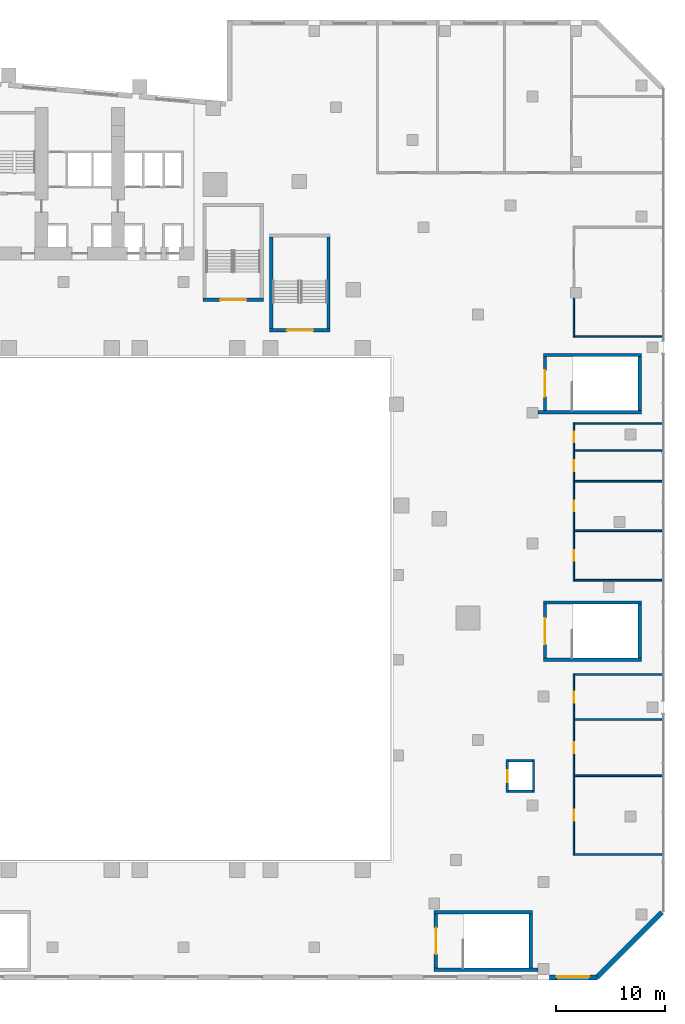
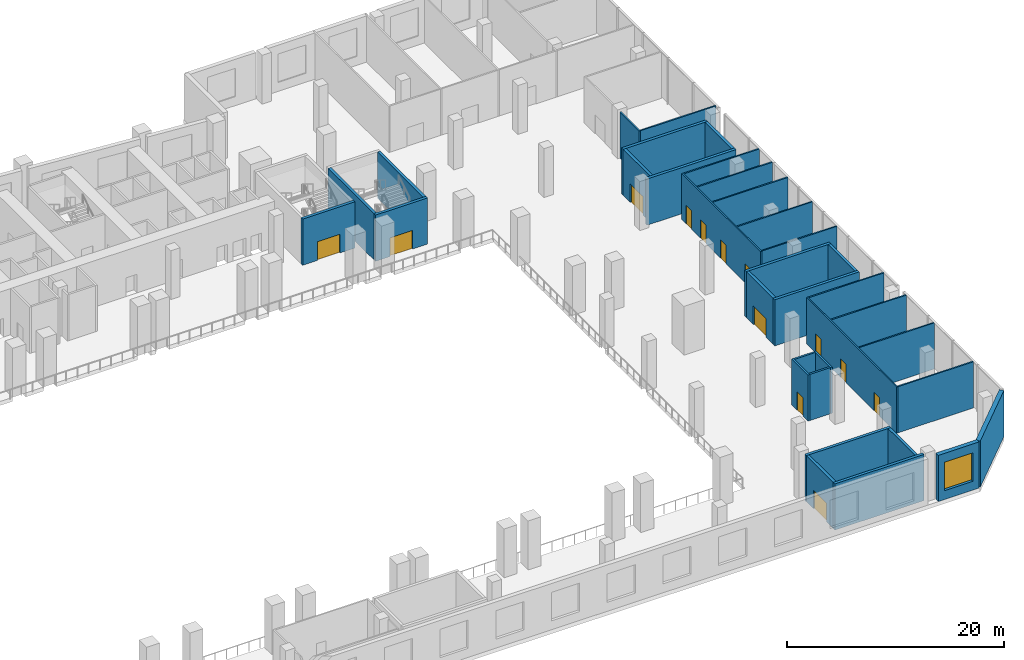
# One storey, part 13 of 25: 35 walls, 13 doors, 1 window, 14 openings.
"""IFC4 building model written with IfcOpenShell, lengths in metres."""

from ifc_helpers import new_model, si_unit, direction, frame, frame_2d, origin, place, context, subcontext, project, spatial, rectangle, extrude, material, layer, layer_set, type_object, element, fill, save


model = new_model("IFC4")

# Units and contexts
model_context = context("Model", 3, precision=1e-05, world=origin(), true_north=direction((0.0, 1.0)))
body_context = subcontext(model_context, "Body", "Model", "MODEL_VIEW")
ifc_project = project(units=[si_unit("LENGTHUNIT", "METRE"), si_unit("AREAUNIT", "SQUARE_METRE"), si_unit("VOLUMEUNIT", "CUBIC_METRE"), si_unit("PLANEANGLEUNIT", "RADIAN"), si_unit("MASSUNIT", "GRAM", prefix="KILO")], contexts=[model_context])

# Site, building, storey
site_placement = place(None, origin())
site = spatial("IfcSite", under=ifc_project, at=site_placement, CompositionType="ELEMENT")
building_placement = place(site_placement, origin())
building = spatial("IfcBuilding", under=site, at=building_placement, Name="Wharfspan Tower", CompositionType="ELEMENT")
storey_placement = place(building_placement, frame((0.0, 0.0, 27.5)))
storey = spatial("IfcBuildingStorey", under=building, at=storey_placement, Name="L04", CompositionType="ELEMENT", Elevation=27.5)

# Walls
ifc_material_1 = material(Name="Calcium silicate masonry", Category="masonry")
ifc_layer_1 = layer(ifc_material_1, 0.149902)
ifc_layer_set_1 = layer_set([ifc_layer_1], Name="Calcium silicate masonry")
wall_type_1 = type_object("IfcWallType", Name="Podium room wall 150", PredefinedType="PARTITIONING", material=ifc_layer_set_1)
for number, where, z_axis, x_axis, name in (
    (1, (99.875, -20.5, 0.0), (0.0, 0.0, 1.0), (1.0, 0.0, 0.0), "iw:L04:2"),
    (2, (99.875, -4.0, 0.0), (0.0, 0.0, 1.0), (1.0, 0.0, 0.0), "iw:L04:9"),
    (3, (99.875, 19.0, 0.0), (0.0, 0.0, 1.0), (1.0, 0.0, 0.0), "iw:L04:15"),
    (4, (99.875, 4.649902, 0.0), (0.0, 0.0, 1.0), (1.0, 0.0, 0.0), "iw:L04:16"),
    (5, (99.875, 9.181885, 0.0), (0.0, 0.0, 1.0), (1.0, 0.0, 0.0), "iw:L04:17"),
):
    element("IfcWall", number, at=place(storey_placement, frame(where, z_axis=z_axis, x_axis=x_axis)), inside=storey, type_object=wall_type_1, Name=name, PredefinedType="PARTITIONING", context=body_context, shape_type="SweptSolid", body=[
        extrude(rectangle(XDim=8.02002, YDim=0.149902, at=frame_2d((4.01001, 0.0))), origin(), (0.0, 0.0, 1.0), 5.199951),
    ])

# Wall, openings, doors
wall_1_placement = place(storey_placement, frame((99.800049, -20.574951, 0.0), z_axis=(0.0, 0.0, 1.0), x_axis=(0.0, 1.0, 0.0)))
wall_1 = element("IfcWall", 6, at=wall_1_placement, inside=storey, type_object=wall_type_1, Name="iw:L04:18", PredefinedType="PARTITIONING", context=body_context, shape_type="SweptSolid", body=[
    extrude(rectangle(XDim=16.649902, YDim=0.149902, at=frame_2d((8.324951, 0.0))), origin(), (0.0, 0.0, 1.0), 5.199951),
])
opening_1_placement = place(wall_1_placement, frame((3.184326, 0.0, 0.0)))
opening_1 = element("IfcOpeningElement", 7, at=opening_1_placement, cuts=wall_1, Name="Opening PD04.14", PredefinedType="OPENING", context=body_context, shape_type="SweptSolid", body=[
    extrude(rectangle(XDim=1.0, YDim=2.100098, at=frame_2d((0.5, 1.050049))), frame((0.0, 0.084961, 0.0), z_axis=(0.0, -1.0, 0.0), x_axis=(1.0, 0.0, 0.0)), (0.0, 0.0, 1.0), 0.169922),
])
opening_2_placement = place(wall_1_placement, frame((9.371826, 0.0, 0.0)))
opening_2 = element("IfcOpeningElement", 8, at=opening_2_placement, cuts=wall_1, Name="Opening PD04.15", PredefinedType="OPENING", context=body_context, shape_type="SweptSolid", body=[
    extrude(rectangle(XDim=1.0, YDim=2.100098, at=frame_2d((0.5, 1.050049))), frame((0.0, 0.084961, 0.0), z_axis=(0.0, -1.0, 0.0), x_axis=(1.0, 0.0, 0.0)), (0.0, 0.0, 1.0), 0.169922),
])
opening_3_placement = place(wall_1_placement, frame((14.012451, 0.0, 0.0)))
opening_3 = element("IfcOpeningElement", 9, at=opening_3_placement, cuts=wall_1, Name="Opening PD04.16", PredefinedType="OPENING", context=body_context, shape_type="SweptSolid", body=[
    extrude(rectangle(XDim=1.0, YDim=2.100098, at=frame_2d((0.5, 1.050049))), frame((0.0, 0.084961, 0.0), z_axis=(0.0, -1.0, 0.0), x_axis=(1.0, 0.0, 0.0)), (0.0, 0.0, 1.0), 0.169922),
])
ifc_material_2 = material(Name="Steel door leaf", Category="steel")
door_type_1 = type_object("IfcDoorType", Name="Podium room door 1000x2100", OperationType="SINGLE_SWING_LEFT", PredefinedType="DOOR", material=ifc_material_2)
door_1_placement = place(opening_1_placement, origin())
door_1 = element("IfcDoor", 10, at=door_1_placement, inside=storey, type_object=door_type_1, Name="id:L04:14", OperationType="SINGLE_SWING_LEFT", OverallHeight=2.100098, OverallWidth=1.0, PredefinedType="DOOR", context=body_context, shape_type="SweptSolid", body=[
    extrude(rectangle(XDim=1.0, YDim=2.100098, at=frame_2d((0.5, 1.050049))), frame((0.0, 0.024902, 0.0), z_axis=(0.0, -1.0, 0.0), x_axis=(1.0, 0.0, 0.0)), (0.0, 0.0, 1.0), 0.050049),
])
fill(opening_1, door_1)
door_2_placement = place(opening_2_placement, origin())
door_2 = element("IfcDoor", 11, at=door_2_placement, inside=storey, type_object=door_type_1, Name="id:L04:15", OperationType="SINGLE_SWING_RIGHT", OverallHeight=2.100098, OverallWidth=1.0, PredefinedType="DOOR", context=body_context, shape_type="SweptSolid", body=[
    extrude(rectangle(XDim=1.0, YDim=2.100098, at=frame_2d((0.5, 1.050049))), frame((0.0, 0.024902, 0.0), z_axis=(0.0, -1.0, 0.0), x_axis=(1.0, 0.0, 0.0)), (0.0, 0.0, 1.0), 0.050049),
])
fill(opening_2, door_2)
door_3_placement = place(opening_3_placement, origin())
door_3 = element("IfcDoor", 12, at=door_3_placement, inside=storey, type_object=door_type_1, Name="id:L04:16", OperationType="SINGLE_SWING_LEFT", OverallHeight=2.100098, OverallWidth=1.0, PredefinedType="DOOR", context=body_context, shape_type="SweptSolid", body=[
    extrude(rectangle(XDim=1.0, YDim=2.100098, at=frame_2d((0.5, 1.050049))), frame((0.0, 0.024902, 0.0), z_axis=(0.0, -1.0, 0.0), x_axis=(1.0, 0.0, 0.0)), (0.0, 0.0, 1.0), 0.050049),
])
fill(opening_3, door_3)

wall_2_placement = place(storey_placement, frame((99.800049, 4.574951, 0.0), z_axis=(0.0, 0.0, 1.0), x_axis=(0.0, 1.0, 0.0)))
wall_2 = element("IfcWall", 13, at=wall_2_placement, inside=storey, type_object=wall_type_1, Name="iw:L04:19", PredefinedType="PARTITIONING", context=body_context, shape_type="SweptSolid", body=[
    extrude(rectangle(XDim=14.5, YDim=0.149902, at=frame_2d((7.25, 0.0))), origin(), (0.0, 0.0, 1.0), 5.199951),
])
opening_4_placement = place(wall_2_placement, frame((1.84082, 0.0, 0.0)))
opening_4 = element("IfcOpeningElement", 14, at=opening_4_placement, cuts=wall_2, Name="Opening PD04.8", PredefinedType="OPENING", context=body_context, shape_type="SweptSolid", body=[
    extrude(rectangle(XDim=1.0, YDim=2.100098, at=frame_2d((0.5, 1.050049))), frame((0.0, 0.084961, 0.0), z_axis=(0.0, -1.0, 0.0), x_axis=(1.0, 0.0, 0.0)), (0.0, 0.0, 1.0), 0.169922),
])
opening_5_placement = place(wall_2_placement, frame((6.372314, 0.0, 0.0)))
opening_5 = element("IfcOpeningElement", 15, at=opening_5_placement, cuts=wall_2, Name="Opening PD04.9", PredefinedType="OPENING", context=body_context, shape_type="SweptSolid", body=[
    extrude(rectangle(XDim=1.0, YDim=2.100098, at=frame_2d((0.5, 1.050049))), frame((0.0, 0.084961, 0.0), z_axis=(0.0, -1.0, 0.0), x_axis=(1.0, 0.0, 0.0)), (0.0, 0.0, 1.0), 0.169922),
])
opening_6_placement = place(wall_2_placement, frame((10.054199, 0.0, 0.0)))
opening_6 = element("IfcOpeningElement", 16, at=opening_6_placement, cuts=wall_2, Name="Opening PD04.10", PredefinedType="OPENING", context=body_context, shape_type="SweptSolid", body=[
    extrude(rectangle(XDim=1.0, YDim=2.100098, at=frame_2d((0.5, 1.050049))), frame((0.0, 0.084961, 0.0), z_axis=(0.0, -1.0, 0.0), x_axis=(1.0, 0.0, 0.0)), (0.0, 0.0, 1.0), 0.169922),
])
opening_7_placement = place(wall_2_placement, frame((12.697754, 0.0, 0.0)))
opening_7 = element("IfcOpeningElement", 17, at=opening_7_placement, cuts=wall_2, Name="Opening PD04.11", PredefinedType="OPENING", context=body_context, shape_type="SweptSolid", body=[
    extrude(rectangle(XDim=1.0, YDim=2.100098, at=frame_2d((0.5, 1.050049))), frame((0.0, 0.084961, 0.0), z_axis=(0.0, -1.0, 0.0), x_axis=(1.0, 0.0, 0.0)), (0.0, 0.0, 1.0), 0.169922),
])
door_4_placement = place(opening_4_placement, origin())
door_4 = element("IfcDoor", 18, at=door_4_placement, inside=storey, type_object=door_type_1, Name="id:L04:8", OperationType="SINGLE_SWING_LEFT", OverallHeight=2.100098, OverallWidth=1.0, PredefinedType="DOOR", context=body_context, shape_type="SweptSolid", body=[
    extrude(rectangle(XDim=1.0, YDim=2.100098, at=frame_2d((0.5, 1.050049))), frame((0.0, 0.024902, 0.0), z_axis=(0.0, -1.0, 0.0), x_axis=(1.0, 0.0, 0.0)), (0.0, 0.0, 1.0), 0.050049),
])
fill(opening_4, door_4)
door_5_placement = place(opening_5_placement, origin())
door_5 = element("IfcDoor", 19, at=door_5_placement, inside=storey, type_object=door_type_1, Name="id:L04:9", OperationType="SINGLE_SWING_RIGHT", OverallHeight=2.100098, OverallWidth=1.0, PredefinedType="DOOR", context=body_context, shape_type="SweptSolid", body=[
    extrude(rectangle(XDim=1.0, YDim=2.100098, at=frame_2d((0.5, 1.050049))), frame((0.0, 0.024902, 0.0), z_axis=(0.0, -1.0, 0.0), x_axis=(1.0, 0.0, 0.0)), (0.0, 0.0, 1.0), 0.050049),
])
fill(opening_5, door_5)
door_6_placement = place(opening_6_placement, origin())
door_6 = element("IfcDoor", 20, at=door_6_placement, inside=storey, type_object=door_type_1, Name="id:L04:10", OperationType="SINGLE_SWING_LEFT", OverallHeight=2.100098, OverallWidth=1.0, PredefinedType="DOOR", context=body_context, shape_type="SweptSolid", body=[
    extrude(rectangle(XDim=1.0, YDim=2.100098, at=frame_2d((0.5, 1.050049))), frame((0.0, 0.024902, 0.0), z_axis=(0.0, -1.0, 0.0), x_axis=(1.0, 0.0, 0.0)), (0.0, 0.0, 1.0), 0.050049),
])
fill(opening_6, door_6)
door_7_placement = place(opening_7_placement, origin())
door_7 = element("IfcDoor", 21, at=door_7_placement, inside=storey, type_object=door_type_1, Name="id:L04:11", OperationType="SINGLE_SWING_RIGHT", OverallHeight=2.100098, OverallWidth=1.0, PredefinedType="DOOR", context=body_context, shape_type="SweptSolid", body=[
    extrude(rectangle(XDim=1.0, YDim=2.100098, at=frame_2d((0.5, 1.050049))), frame((0.0, 0.024902, 0.0), z_axis=(0.0, -1.0, 0.0), x_axis=(1.0, 0.0, 0.0)), (0.0, 0.0, 1.0), 0.050049),
])
fill(opening_7, door_7)

# Walls
wall_3_placement = place(storey_placement, frame((99.800049, 26.925049, 0.0), z_axis=(0.0, 0.0, 1.0), x_axis=(0.0, 1.0, 0.0)))
element("IfcWall", 22, at=wall_3_placement, inside=storey, type_object=wall_type_1, Name="iw:L04:20", PredefinedType="PARTITIONING", context=body_context, shape_type="SweptSolid", body=[
    extrude(rectangle(XDim=3.564941, YDim=0.149902, at=frame_2d((1.782471, 0.0))), origin(), (0.0, 0.0, 1.0), 5.199951),
])
for number, where, z_axis, x_axis, name in (
    (23, (99.875, 13.712891, 0.0), (0.0, 0.0, 1.0), (1.0, 0.0, 0.0), "iw:L04:22"),
    (24, (99.875, 16.544922, 0.0), (0.0, 0.0, 1.0), (1.0, 0.0, 0.0), "iw:L04:23"),
    (25, (99.875, -13.281006, 0.0), (0.0, 0.0, 1.0), (1.0, 0.0, 0.0), "iw:L04:28"),
    (26, (99.875, -8.125, 0.0), (0.0, 0.0, 1.0), (1.0, 0.0, 0.0), "iw:L04:29"),
    (27, (99.875, 27.0, 0.0), (0.0, 0.0, 1.0), (1.0, 0.0, 0.0), "iw:L04:30"),
):
    element("IfcWall", number, at=place(storey_placement, frame(where, z_axis=z_axis, x_axis=x_axis)), inside=storey, type_object=wall_type_1, Name=name, PredefinedType="PARTITIONING", context=body_context, shape_type="SweptSolid", body=[
        extrude(rectangle(XDim=8.02002, YDim=0.149902, at=frame_2d((4.01001, 0.0))), origin(), (0.0, 0.0, 1.0), 5.199951),
    ])

# Wall, opening, door
ifc_material_3 = material(Name="Concrete C30/37", Category="concrete")
ifc_layer_2 = layer(ifc_material_3, 0.199951)
ifc_layer_set_2 = layer_set([ifc_layer_2], Name="Concrete C30/37")
wall_type_2 = type_object("IfcWallType", Name="Podium shaft wall 200", PredefinedType="PARTITIONING", material=ifc_layer_set_2)
wall_4_placement = place(storey_placement, frame((93.699951, -14.800049, 0.0), z_axis=(0.0, 0.0, 1.0), x_axis=(0.0, 1.0, 0.0)))
wall_4 = element("IfcWall", 28, at=wall_4_placement, inside=storey, type_object=wall_type_2, Name="pl:LP4:L04:W", PredefinedType="PARTITIONING", context=body_context, shape_type="SweptSolid", body=[
    extrude(rectangle(XDim=3.0, YDim=0.199951, at=frame_2d((1.5, 0.0))), origin(), (0.0, 0.0, 1.0), 5.199951),
])
opening_8_placement = place(wall_4_placement, frame((0.949951, 0.0, 0.0)))
opening_8 = element("IfcOpeningElement", 29, at=opening_8_placement, cuts=wall_4, Name="Opening LDP4.L04", PredefinedType="OPENING", context=body_context, shape_type="SweptSolid", body=[
    extrude(rectangle(XDim=1.100098, YDim=2.100098, at=frame_2d((0.550049, 1.050049))), frame((0.0, 0.109863, 0.0), z_axis=(0.0, -1.0, 0.0), x_axis=(1.0, 0.0, 0.0)), (0.0, 0.0, 1.0), 0.219971),
])
ifc_material_4 = material(Name="Stainless steel", Category="steel")
door_type_2 = type_object("IfcDoorType", Name="Podium lift landing door 1100x2100", OperationType="DOUBLE_DOOR_SLIDING", PredefinedType="DOOR", material=ifc_material_4)
door_8_placement = place(opening_8_placement, origin())
door_8 = element("IfcDoor", 30, at=door_8_placement, inside=storey, type_object=door_type_2, Name="Landing door LP4 L04", OperationType="DOUBLE_DOOR_SLIDING", OverallHeight=2.100098, OverallWidth=1.100098, PredefinedType="DOOR", context=body_context, shape_type="SweptSolid", body=[
    extrude(rectangle(XDim=1.100098, YDim=2.100098, at=frame_2d((0.550049, 1.050049))), frame((0.0, 0.024902, 0.0), z_axis=(0.0, -1.0, 0.0), x_axis=(1.0, 0.0, 0.0)), (0.0, 0.0, 1.0), 0.050049),
])
fill(opening_8, door_8)

# Walls
wall_5_placement = place(storey_placement, frame((96.100098, -14.800049, 0.0), z_axis=(0.0, 0.0, 1.0), x_axis=(0.0, 1.0, 0.0)))
element("IfcWall", 31, at=wall_5_placement, inside=storey, type_object=wall_type_2, Name="pl:LP4:L04:E", PredefinedType="PARTITIONING", context=body_context, shape_type="SweptSolid", body=[
    extrude(rectangle(XDim=3.0, YDim=0.199951, at=frame_2d((1.5, 0.0))), origin(), (0.0, 0.0, 1.0), 5.199951),
])
for number, where, z_axis, x_axis, name in (
    (32, (93.800049, -14.699951, 0.0), (0.0, 0.0, 1.0), (1.0, 0.0, 0.0), "pl:LP4:L04:S"),
    (33, (93.800049, -11.899902, 0.0), (0.0, 0.0, 1.0), (1.0, 0.0, 0.0), "pl:LP4:L04:N"),
):
    element("IfcWall", number, at=place(storey_placement, frame(where, z_axis=z_axis, x_axis=x_axis)), inside=storey, type_object=wall_type_2, Name=name, PredefinedType="PARTITIONING", context=body_context, shape_type="SweptSolid", body=[
        extrude(rectangle(XDim=2.199951, YDim=0.199951, at=frame_2d((1.100098, 0.0))), origin(), (0.0, 0.0, 1.0), 5.199951),
    ])
ifc_material_5 = material(Name="Concrete C40/50", Category="concrete")
ifc_layer_3 = layer(ifc_material_5, 0.300049)
ifc_layer_set_3 = layer_set([ifc_layer_3], Name="Concrete C40/50")
wall_type_3 = type_object("IfcWallType", Name="Podium stair core wall 300", PredefinedType="SHEAR", material=ifc_layer_set_3)
wall_6_placement = place(storey_placement, frame((87.0, -31.050049, 0.0), z_axis=(0.0, 0.0, 1.0), x_axis=(1.0, 0.0, 0.0)))
element("IfcWall", 34, at=wall_6_placement, inside=storey, type_object=wall_type_3, Name="iw:L04:AS2S", PredefinedType="SHEAR", context=body_context, shape_type="SweptSolid", body=[
    extrude(rectangle(XDim=9.5, YDim=0.300049, at=frame_2d((4.75, 0.0))), origin(), (0.0, 0.0, 1.0), 5.199951),
])
wall_7_placement = place(storey_placement, frame((87.0, -25.800049, 0.0), z_axis=(0.0, 0.0, 1.0), x_axis=(1.0, 0.0, 0.0)))
element("IfcWall", 35, at=wall_7_placement, inside=storey, type_object=wall_type_3, Name="iw:L04:AS2N", PredefinedType="SHEAR", context=body_context, shape_type="SweptSolid", body=[
    extrude(rectangle(XDim=9.0, YDim=0.300049, at=frame_2d((4.5, 0.0))), origin(), (0.0, 0.0, 1.0), 5.199951),
])

# Wall, opening, door
wall_8_placement = place(storey_placement, frame((87.149902, -30.899902, 0.0), z_axis=(0.0, 0.0, 1.0), x_axis=(0.0, 1.0, 0.0)))
wall_8 = element("IfcWall", 36, at=wall_8_placement, inside=storey, type_object=wall_type_3, Name="iw:L04:AS2W", PredefinedType="SHEAR", context=body_context, shape_type="SweptSolid", body=[
    extrude(rectangle(XDim=4.949951, YDim=0.300049, at=frame_2d((2.475098, 0.0))), origin(), (0.0, 0.0, 1.0), 5.199951),
])
opening_9_placement = place(wall_8_placement, frame((1.274902, 0.0, 0.0)))
opening_9 = element("IfcOpeningElement", 37, at=opening_9_placement, cuts=wall_8, Name="Opening SDAS2.L04", PredefinedType="OPENING", context=body_context, shape_type="SweptSolid", body=[
    extrude(rectangle(XDim=2.399902, YDim=2.100098, at=frame_2d((1.199951, 1.050049))), frame((0.0, 0.159912, 0.0), z_axis=(0.0, -1.0, 0.0), x_axis=(1.0, 0.0, 0.0)), (0.0, 0.0, 1.0), 0.320068),
])
door_type_3 = type_object("IfcDoorType", Name="Podium stair door 2400x2100", OperationType="DOUBLE_DOOR_SINGLE_SWING", PredefinedType="DOOR", material=ifc_material_2)
door_9_placement = place(opening_9_placement, origin())
door_9 = element("IfcDoor", 38, at=door_9_placement, inside=storey, type_object=door_type_3, Name="id:L04:AS2", OperationType="DOUBLE_DOOR_SINGLE_SWING", OverallHeight=2.100098, OverallWidth=2.399902, PredefinedType="DOOR", context=body_context, shape_type="SweptSolid", body=[
    extrude(rectangle(XDim=2.399902, YDim=2.100098, at=frame_2d((1.199951, 1.050049))), frame((0.0, 0.024902, 0.0), z_axis=(0.0, -1.0, 0.0), x_axis=(1.0, 0.0, 0.0)), (0.0, 0.0, 1.0), 0.050049),
])
fill(opening_9, door_9)

# Walls
wall_9_placement = place(storey_placement, frame((95.850098, -30.899902, 0.0), z_axis=(0.0, 0.0, 1.0), x_axis=(0.0, 1.0, 0.0)))
element("IfcWall", 39, at=wall_9_placement, inside=storey, type_object=wall_type_3, Name="iw:L04:AS2E", PredefinedType="SHEAR", context=body_context, shape_type="SweptSolid", body=[
    extrude(rectangle(XDim=4.949951, YDim=0.300049, at=frame_2d((2.475098, 0.0))), origin(), (0.0, 0.0, 1.0), 5.199951),
])
for number, where, z_axis, x_axis, name in (
    (40, (97.0, -2.649902, 0.0), (0.0, 0.0, 1.0), (1.0, 0.0, 0.0), "iw:L04:AS8S"),
    (41, (97.0, 2.600098, 0.0), (0.0, 0.0, 1.0), (1.0, 0.0, 0.0), "iw:L04:AS8N"),
):
    element("IfcWall", number, at=place(storey_placement, frame(where, z_axis=z_axis, x_axis=x_axis)), inside=storey, type_object=wall_type_3, Name=name, PredefinedType="SHEAR", context=body_context, shape_type="SweptSolid", body=[
        extrude(rectangle(XDim=9.0, YDim=0.300049, at=frame_2d((4.5, 0.0))), origin(), (0.0, 0.0, 1.0), 5.199951),
    ])

# Wall, opening, door
wall_10_placement = place(storey_placement, frame((97.149902, -2.5, 0.0), z_axis=(0.0, 0.0, 1.0), x_axis=(0.0, 1.0, 0.0)))
wall_10 = element("IfcWall", 42, at=wall_10_placement, inside=storey, type_object=wall_type_3, Name="iw:L04:AS8W", PredefinedType="SHEAR", context=body_context, shape_type="SweptSolid", body=[
    extrude(rectangle(XDim=4.949951, YDim=0.300049, at=frame_2d((2.475098, 0.0))), origin(), (0.0, 0.0, 1.0), 5.199951),
])
opening_10_placement = place(wall_10_placement, frame((1.274902, 0.0, 0.0)))
opening_10 = element("IfcOpeningElement", 43, at=opening_10_placement, cuts=wall_10, Name="Opening SDAS8.L04", PredefinedType="OPENING", context=body_context, shape_type="SweptSolid", body=[
    extrude(rectangle(XDim=2.399902, YDim=2.100098, at=frame_2d((1.199951, 1.050049))), frame((0.0, 0.159912, 0.0), z_axis=(0.0, -1.0, 0.0), x_axis=(1.0, 0.0, 0.0)), (0.0, 0.0, 1.0), 0.320068),
])
door_10_placement = place(opening_10_placement, origin())
door_10 = element("IfcDoor", 44, at=door_10_placement, inside=storey, type_object=door_type_3, Name="id:L04:AS8", OperationType="DOUBLE_DOOR_SINGLE_SWING", OverallHeight=2.100098, OverallWidth=2.399902, PredefinedType="DOOR", context=body_context, shape_type="SweptSolid", body=[
    extrude(rectangle(XDim=2.399902, YDim=2.100098, at=frame_2d((1.199951, 1.050049))), frame((0.0, 0.024902, 0.0), z_axis=(0.0, -1.0, 0.0), x_axis=(1.0, 0.0, 0.0)), (0.0, 0.0, 1.0), 0.050049),
])
fill(opening_10, door_10)

# Walls
wall_11_placement = place(storey_placement, frame((105.850098, -2.5, 0.0), z_axis=(0.0, 0.0, 1.0), x_axis=(0.0, 1.0, 0.0)))
element("IfcWall", 45, at=wall_11_placement, inside=storey, type_object=wall_type_3, Name="iw:L04:AS8E", PredefinedType="SHEAR", context=body_context, shape_type="SweptSolid", body=[
    extrude(rectangle(XDim=4.949951, YDim=0.300049, at=frame_2d((2.475098, 0.0))), origin(), (0.0, 0.0, 1.0), 5.199951),
])
wall_12_placement = place(storey_placement, frame((96.5, 20.050049, 0.0), z_axis=(0.0, 0.0, 1.0), x_axis=(1.0, 0.0, 0.0)))
element("IfcWall", 46, at=wall_12_placement, inside=storey, type_object=wall_type_3, Name="iw:L04:AS4S", PredefinedType="SHEAR", context=body_context, shape_type="SweptSolid", body=[
    extrude(rectangle(XDim=9.5, YDim=0.300049, at=frame_2d((4.75, 0.0))), origin(), (0.0, 0.0, 1.0), 5.199951),
])
wall_13_placement = place(storey_placement, frame((97.0, 25.300049, 0.0), z_axis=(0.0, 0.0, 1.0), x_axis=(1.0, 0.0, 0.0)))
element("IfcWall", 47, at=wall_13_placement, inside=storey, type_object=wall_type_3, Name="iw:L04:AS4N", PredefinedType="SHEAR", context=body_context, shape_type="SweptSolid", body=[
    extrude(rectangle(XDim=9.0, YDim=0.300049, at=frame_2d((4.5, 0.0))), origin(), (0.0, 0.0, 1.0), 5.199951),
])

# Wall, opening, door
wall_14_placement = place(storey_placement, frame((97.149902, 20.199951, 0.0), z_axis=(0.0, 0.0, 1.0), x_axis=(0.0, 1.0, 0.0)))
wall_14 = element("IfcWall", 48, at=wall_14_placement, inside=storey, type_object=wall_type_3, Name="iw:L04:AS4W", PredefinedType="SHEAR", context=body_context, shape_type="SweptSolid", body=[
    extrude(rectangle(XDim=4.949951, YDim=0.300049, at=frame_2d((2.475098, 0.0))), origin(), (0.0, 0.0, 1.0), 5.199951),
])
opening_11_placement = place(wall_14_placement, frame((1.274902, 0.0, 0.0)))
opening_11 = element("IfcOpeningElement", 49, at=opening_11_placement, cuts=wall_14, Name="Opening SDAS4.L04", PredefinedType="OPENING", context=body_context, shape_type="SweptSolid", body=[
    extrude(rectangle(XDim=2.399902, YDim=2.100098, at=frame_2d((1.199951, 1.050049))), frame((0.0, 0.159912, 0.0), z_axis=(0.0, -1.0, 0.0), x_axis=(1.0, 0.0, 0.0)), (0.0, 0.0, 1.0), 0.320068),
])
door_11_placement = place(opening_11_placement, origin())
door_11 = element("IfcDoor", 50, at=door_11_placement, inside=storey, type_object=door_type_3, Name="id:L04:AS4", OperationType="DOUBLE_DOOR_SINGLE_SWING", OverallHeight=2.100098, OverallWidth=2.399902, PredefinedType="DOOR", context=body_context, shape_type="SweptSolid", body=[
    extrude(rectangle(XDim=2.399902, YDim=2.100098, at=frame_2d((1.199951, 1.050049))), frame((0.0, 0.024902, 0.0), z_axis=(0.0, -1.0, 0.0), x_axis=(1.0, 0.0, 0.0)), (0.0, 0.0, 1.0), 0.050049),
])
fill(opening_11, door_11)

# Wall
wall_15_placement = place(storey_placement, frame((105.850098, 20.199951, 0.0), z_axis=(0.0, 0.0, 1.0), x_axis=(0.0, 1.0, 0.0)))
element("IfcWall", 51, at=wall_15_placement, inside=storey, type_object=wall_type_3, Name="iw:L04:AS4E", PredefinedType="SHEAR", context=body_context, shape_type="SweptSolid", body=[
    extrude(rectangle(XDim=4.949951, YDim=0.300049, at=frame_2d((2.475098, 0.0))), origin(), (0.0, 0.0, 1.0), 5.199951),
])

# Wall, opening, door
wall_16_placement = place(storey_placement, frame((65.800049, 30.350098, 0.0), z_axis=(0.0, 0.0, 1.0), x_axis=(1.0, 0.0, 0.0)))
wall_16 = element("IfcWall", 52, at=wall_16_placement, inside=storey, type_object=wall_type_3, Name="iw:L04:PS4S", PredefinedType="SHEAR", context=body_context, shape_type="SweptSolid", body=[
    extrude(rectangle(XDim=5.550049, YDim=0.300049, at=frame_2d((2.774902, 0.0))), origin(), (0.0, 0.0, 1.0), 5.199951),
])
opening_12_placement = place(wall_16_placement, frame((1.574951, 0.0, 0.0)))
opening_12 = element("IfcOpeningElement", 53, at=opening_12_placement, cuts=wall_16, Name="Opening SDPS4.L04", PredefinedType="OPENING", context=body_context, shape_type="SweptSolid", body=[
    extrude(rectangle(XDim=2.399902, YDim=2.100098, at=frame_2d((1.199951, 1.050049))), frame((0.0, 0.159912, 0.0), z_axis=(0.0, -1.0, 0.0), x_axis=(1.0, 0.0, 0.0)), (0.0, 0.0, 1.0), 0.320068),
])
door_12_placement = place(opening_12_placement, origin())
door_12 = element("IfcDoor", 54, at=door_12_placement, inside=storey, type_object=door_type_3, Name="id:L04:PS4", OperationType="DOUBLE_DOOR_SINGLE_SWING", OverallHeight=2.100098, OverallWidth=2.399902, PredefinedType="DOOR", context=body_context, shape_type="SweptSolid", body=[
    extrude(rectangle(XDim=2.399902, YDim=2.100098, at=frame_2d((1.199951, 1.050049))), frame((0.0, 0.024902, 0.0), z_axis=(0.0, -1.0, 0.0), x_axis=(1.0, 0.0, 0.0)), (0.0, 0.0, 1.0), 0.050049),
])
fill(opening_12, door_12)

wall_17_placement = place(storey_placement, frame((71.91748, 27.550049, 0.0), z_axis=(0.0, 0.0, 1.0), x_axis=(1.0, 0.0, 0.0)))
wall_17 = element("IfcWall", 55, at=wall_17_placement, inside=storey, type_object=wall_type_3, Name="iw:L04:PS5S", PredefinedType="SHEAR", context=body_context, shape_type="SweptSolid", body=[
    extrude(rectangle(XDim=5.550049, YDim=0.300049, at=frame_2d((2.774902, 0.0))), origin(), (0.0, 0.0, 1.0), 5.199951),
])
opening_13_placement = place(wall_17_placement, frame((1.574951, 0.0, 0.0)))
opening_13 = element("IfcOpeningElement", 56, at=opening_13_placement, cuts=wall_17, Name="Opening SDPS5.L04", PredefinedType="OPENING", context=body_context, shape_type="SweptSolid", body=[
    extrude(rectangle(XDim=2.399902, YDim=2.100098, at=frame_2d((1.199951, 1.050049))), frame((0.0, 0.159912, 0.0), z_axis=(0.0, -1.0, 0.0), x_axis=(1.0, 0.0, 0.0)), (0.0, 0.0, 1.0), 0.320068),
])
door_13_placement = place(opening_13_placement, origin())
door_13 = element("IfcDoor", 57, at=door_13_placement, inside=storey, type_object=door_type_3, Name="id:L04:PS5", OperationType="DOUBLE_DOOR_SINGLE_SWING", OverallHeight=2.100098, OverallWidth=2.399902, PredefinedType="DOOR", context=body_context, shape_type="SweptSolid", body=[
    extrude(rectangle(XDim=2.399902, YDim=2.100098, at=frame_2d((1.199951, 1.050049))), frame((0.0, 0.024902, 0.0), z_axis=(0.0, -1.0, 0.0), x_axis=(1.0, 0.0, 0.0)), (0.0, 0.0, 1.0), 0.050049),
])
fill(opening_13, door_13)

# Walls
for number, where, z_axis, x_axis, name in (
    (58, (72.067383, 27.699951, 0.0), (0.0, 0.0, 1.0), (0.0, 1.0, 0.0), "iw:L04:PS5W"),
    (59, (77.317383, 27.699951, 0.0), (0.0, 0.0, 1.0), (0.0, 1.0, 0.0), "iw:L04:PS5E"),
):
    element("IfcWall", number, at=place(storey_placement, frame(where, z_axis=z_axis, x_axis=x_axis)), inside=storey, type_object=wall_type_3, Name=name, PredefinedType="SHEAR", context=body_context, shape_type="SweptSolid", body=[
        extrude(rectangle(XDim=8.400146, YDim=0.300049, at=frame_2d((4.200195, 0.0))), origin(), (0.0, 0.0, 1.0), 5.199951),
    ])

# Wall, opening, window
ifc_layer_4 = layer(ifc_material_5, 0.449951)
ifc_layer_set_4 = layer_set([ifc_layer_4], Name="Concrete C40/50")
wall_type_4 = type_object("IfcWallType", Name="WALL BOARD-MARKED CONCRETE 450", PredefinedType="SOLIDWALL", material=ifc_layer_set_4)
wall_18_placement = place(storey_placement, frame((97.550049, -31.774902, 0.0), z_axis=(0.0, 0.0, 1.0), x_axis=(1.0, 0.0, 0.0)))
wall_18 = element("IfcWall", 60, at=wall_18_placement, inside=storey, type_object=wall_type_4, Name="Podium wall PF1", PredefinedType="SOLIDWALL", context=body_context, shape_type="SweptSolid", body=[
    extrude(rectangle(XDim=4.349854, YDim=0.449951, at=frame_2d((2.174805, 0.0))), origin(), (0.0, 0.0, 1.0), 5.199951),
])
opening_14_placement = place(wall_18_placement, frame((0.675049, 0.0, 1.0)))
opening_14 = element("IfcOpeningElement", 61, at=opening_14_placement, cuts=wall_18, Name="Opening EWN4", PredefinedType="OPENING", context=body_context, shape_type="SweptSolid", body=[
    extrude(rectangle(XDim=3.0, YDim=3.199951, at=frame_2d((1.5, 1.600098))), frame((0.0, 0.234863, 0.0), z_axis=(0.0, -1.0, 0.0), x_axis=(1.0, 0.0, 0.0)), (0.0, 0.0, 1.0), 0.469971),
])
ifc_material_6 = material(Name="Aluminium 6063-T6", Category="aluminium")
window_type = type_object("IfcWindowType", Name="WINDOW 3000x3200", PartitioningType="SINGLE_PANEL", PredefinedType="WINDOW", material=ifc_material_6)
window_placement = place(opening_14_placement, origin())
window = element("IfcWindow", 62, at=window_placement, inside=storey, type_object=window_type, Name="Podium window", OverallHeight=3.199951, OverallWidth=3.0, PartitioningType="SINGLE_PANEL", PredefinedType="WINDOW", context=body_context, shape_type="SweptSolid", body=[
    extrude(rectangle(XDim=3.0, YDim=3.199951, at=frame_2d((1.5, 1.600098))), frame((0.0, 0.10498, 0.0), z_axis=(0.0, -1.0, 0.0), x_axis=(1.0, 0.0, 0.0)), (0.0, 0.0, 1.0), 0.060059),
])
fill(opening_14, window)

# Wall
wall_19_placement = place(storey_placement, frame((101.911621, -31.770264, 0.0), z_axis=(0.0, 0.0, 1.0), x_axis=(0.707092, 0.707121, 0.0)))
element("IfcWall", 63, at=wall_19_placement, inside=storey, type_object=wall_type_4, Name="Podium wall PF2", PredefinedType="SOLIDWALL", context=body_context, shape_type="SweptSolid", body=[
    extrude(rectangle(XDim=8.425293, YDim=0.449951, at=frame_2d((4.212646, 0.0))), origin(), (0.0, 0.0, 1.0), 5.199951),
])

save(model, "model.ifc")
